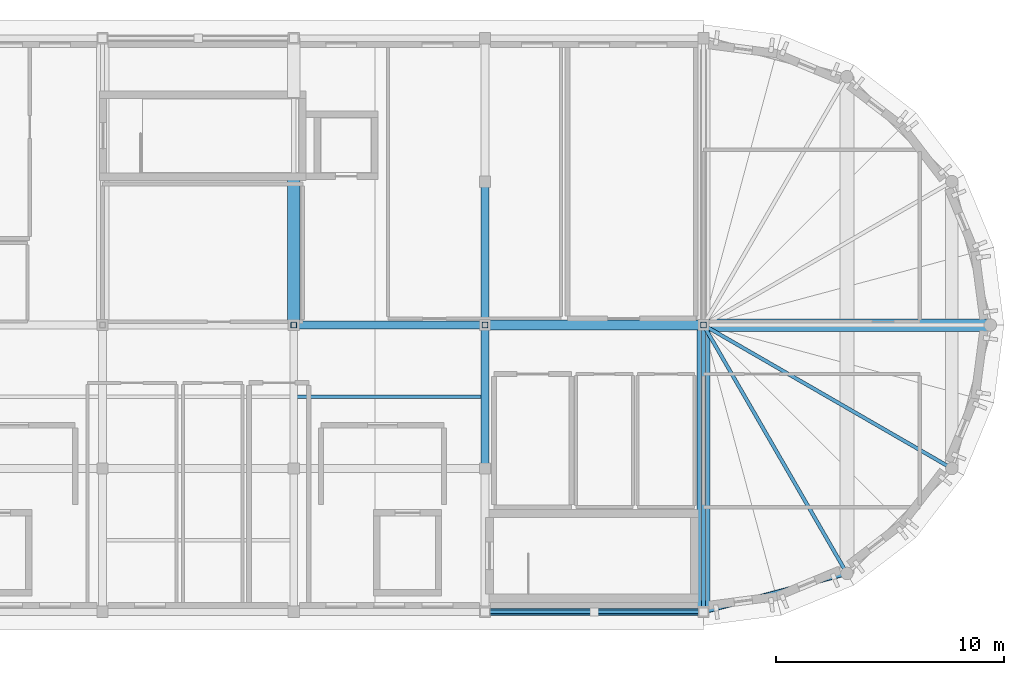
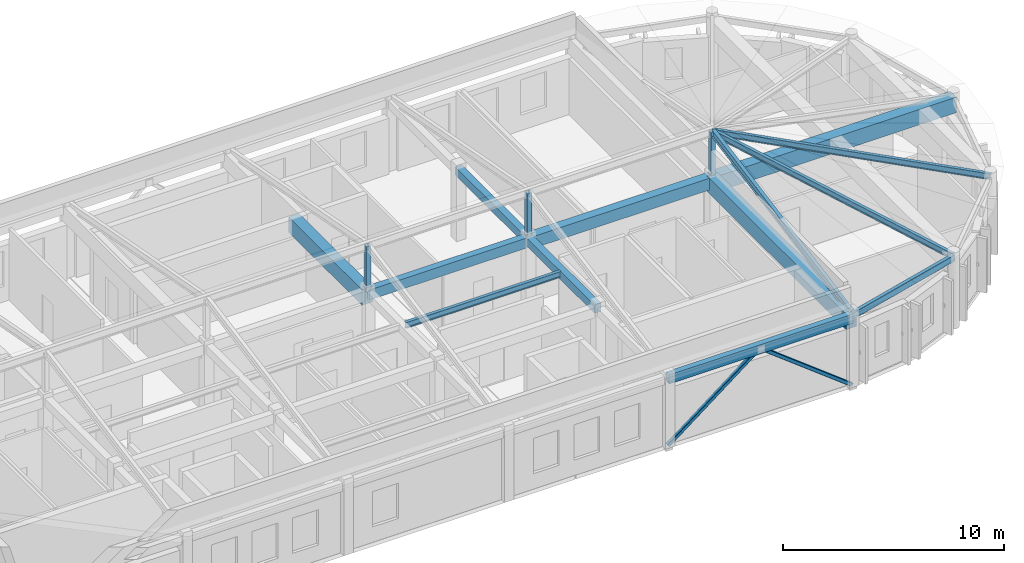
# One storey, part 4 of 11: 13 beams, 5 members.
"""IFC4 building model written with IfcOpenShell, lengths in metres."""

from ifc_helpers import new_model, si_unit, direction, frame, origin, origin_2d, place, context, subcontext, project, spatial, rectangle, hollow_rectangle, i_section, extrude, material, material_profile, profile_set, type_object, element, save


model = new_model("IFC4")

# Units and contexts
model_context = context("Model", 3, precision=1e-05, world=origin(), true_north=direction((0.0, 1.0)))
body_context = subcontext(model_context, "Body", "Model", "MODEL_VIEW")
ifc_project = project(units=[si_unit("LENGTHUNIT", "METRE"), si_unit("AREAUNIT", "SQUARE_METRE"), si_unit("VOLUMEUNIT", "CUBIC_METRE"), si_unit("PLANEANGLEUNIT", "RADIAN"), si_unit("MASSUNIT", "GRAM", prefix="KILO")], contexts=[model_context])

# Site, building, storey
site_placement = place(None, origin())
site = spatial("IfcSite", under=ifc_project, at=site_placement, CompositionType="ELEMENT")
building_placement = place(site_placement, origin())
building = spatial("IfcBuilding", under=site, at=building_placement, Name="Tarnavel Promenade Courthouse", CompositionType="ELEMENT")
storey_placement = place(building_placement, frame((0.0, 0.0, 35.39990234375)))
storey = spatial("IfcBuildingStorey", under=building, at=storey_placement, Name="L09", CompositionType="ELEMENT", Elevation=35.39990234375)

# Beams
ifc_material_1 = material(Name="Concrete C40/50", Category="concrete")
ifc_material_profile_1 = material_profile(ifc_material_1, rectangle(XDim=0.550048828125, YDim=0.85009765625, at=origin_2d()), Name="PT 550x850")
ifc_profile_set_1 = profile_set([ifc_material_profile_1], Name="Concrete C40/50")
beam_type_1 = type_object("IfcBeamType", Name="Concrete C40/50 BM-PT-550x850 (PT 550x850)", PredefinedType="T_BEAM", material=ifc_profile_set_1)
beam_1_placement = place(storey_placement, frame((102.0, 91.800048828125, 3.53515625), z_axis=(1.0, 0.0, 0.0), x_axis=(0.0, 1.0, 0.0)))
element("IfcBeam", 1, at=beam_1_placement, inside=storey, type_object=beam_type_1, Name="L09 Primary Longitudinal Beam 2650", PredefinedType="T_BEAM", context=body_context, shape_type="SweptSolid", body=[
    extrude(rectangle(XDim=0.550048828125, YDim=0.85009765625, at=origin_2d()), origin(), (0.0, 0.0, 1.0), 12.60009765625),
])
beam_2_placement = place(storey_placement, frame((84.0, 91.800048828125, 3.53515625), z_axis=(0.0, 1.0, 0.0), x_axis=(-1.0, 0.0, 0.0)))
element("IfcBeam", 2, at=beam_2_placement, inside=storey, type_object=beam_type_1, Name="L09 Transverse Girder 2669", PredefinedType="T_BEAM", context=body_context, shape_type="SweptSolid", body=[
    extrude(rectangle(XDim=0.550048828125, YDim=0.85009765625, at=origin_2d()), origin(), (0.0, 0.0, 1.0), 6.64990234375),
])
beam_3_placement = place(storey_placement, frame((102.0, 79.199951171875, 3.53515625), z_axis=(0.0, 1.0, 0.0), x_axis=(-1.0, 0.0, 0.0)))
element("IfcBeam", 3, at=beam_3_placement, inside=storey, type_object=beam_type_1, Name="L09 Transverse Girder 2675", PredefinedType="T_BEAM", context=body_context, shape_type="SweptSolid", body=[
    extrude(rectangle(XDim=0.550048828125, YDim=0.85009765625, at=origin_2d()), origin(), (0.0, 0.0, 1.0), 12.60009765625),
])
ifc_material_profile_2 = material_profile(ifc_material_1, rectangle(XDim=0.35009765625, YDim=0.449951171875, at=origin_2d()), Name="RC 350x450")
ifc_profile_set_2 = profile_set([ifc_material_profile_2], Name="Concrete C40/50")
beam_type_2 = type_object("IfcBeamType", Name="Concrete C40/50 BM-RC-350x450 (RC 350x450)", PredefinedType="BEAM", material=ifc_profile_set_2)
for number, where, z_axis, x_axis, name in (
    (4, (92.39990234375, 85.5, 3.735107421875), (0.0, 1.0, 0.0), (-1.0, 0.0, 0.0), "L09 Transverse Girder 2672"),
    (5, (92.39990234375, 91.800048828125, 3.735107421875), (0.0, 1.0, 0.0), (-1.0, 0.0, 0.0), "L09 Transverse Girder 2673"),
):
    element("IfcBeam", number, at=place(storey_placement, frame(where, z_axis=z_axis, x_axis=x_axis)), inside=storey, type_object=beam_type_2, Name=name, PredefinedType="BEAM", context=body_context, shape_type="SweptSolid", body=[
        extrude(rectangle(XDim=0.35009765625, YDim=0.449951171875, at=origin_2d()), origin(), (0.0, 0.0, 1.0), 6.300048828125),
    ])
ifc_material_profile_3 = material_profile(ifc_material_1, rectangle(XDim=0.35009765625, YDim=0.550048828125, at=origin_2d()), Name="RC 350x550")
ifc_profile_set_3 = profile_set([ifc_material_profile_3], Name="Concrete C40/50")
beam_type_3 = type_object("IfcBeamType", Name="Concrete C40/50 BM-RC-350x550 (RC 350x550)", PredefinedType="BEAM", material=ifc_profile_set_3)
beam_4_placement = place(storey_placement, frame((84.0, 91.800048828125, 3.68505859375), z_axis=(1.0, 0.0, 0.0), x_axis=(0.0, 1.0, 0.0)))
element("IfcBeam", 6, at=beam_4_placement, inside=storey, type_object=beam_type_3, Name="L09 Primary Longitudinal Beam 2648", PredefinedType="BEAM", context=body_context, shape_type="SweptSolid", body=[
    extrude(rectangle(XDim=0.35009765625, YDim=0.550048828125, at=origin_2d()), origin(), (0.0, 0.0, 1.0), 8.39990234375),
])
ifc_material_profile_4 = material_profile(ifc_material_1, rectangle(XDim=0.449951171875, YDim=0.64990234375, at=origin_2d()), Name="RC 450x650")
ifc_profile_set_4 = profile_set([ifc_material_profile_4], Name="Concrete C40/50")
beam_type_4 = type_object("IfcBeamType", Name="Concrete C40/50 BM-RC-450x650 (RC 450x650)", PredefinedType="T_BEAM", material=ifc_profile_set_4)
beam_5_placement = place(storey_placement, frame((92.39990234375, 91.800048828125, 3.635009765625), z_axis=(1.0, 0.0, 0.0), x_axis=(0.0, 1.0, 0.0)))
element("IfcBeam", 7, at=beam_5_placement, inside=storey, type_object=beam_type_4, Name="L09 Primary Longitudinal Beam 2649", PredefinedType="T_BEAM", context=body_context, shape_type="SweptSolid", body=[
    extrude(rectangle(XDim=0.449951171875, YDim=0.64990234375, at=origin_2d()), origin(), (0.0, 0.0, 1.0), 9.60009765625),
])
ifc_material_profile_5 = material_profile(ifc_material_1, rectangle(XDim=0.300048828125, YDim=0.5, at=origin_2d()), Name="RC 300x500")
ifc_profile_set_5 = profile_set([ifc_material_profile_5], Name="Concrete C40/50")
beam_type_5 = type_object("IfcBeamType", Name="Concrete C40/50 BM-SP-300x500 (RC 300x500)", PredefinedType="SPANDREL", material=ifc_profile_set_5)
beam_6_placement = place(storey_placement, frame((92.39990234375, 79.199951171875, 3.710205078125), z_axis=(1.0, 0.0, 0.0), x_axis=(0.0, 1.0, 0.0)))
element("IfcBeam", 8, at=beam_6_placement, inside=storey, type_object=beam_type_5, Name="L09 Primary Longitudinal Beam 2641", PredefinedType="SPANDREL", context=body_context, shape_type="SweptSolid", body=[
    extrude(rectangle(XDim=0.300048828125, YDim=0.5, at=origin_2d()), origin(), (0.0, 0.0, 1.0), 9.60009765625),
])
ifc_material_2 = material(Name="Steel S355J2", Category="steel")
ifc_material_profile_6 = material_profile(ifc_material_2, i_section(OverallWidth=0.159912109375, OverallDepth=0.330078125, WebThickness=0.007568359375, FlangeThickness=0.011474609375, FilletRadius=0.01806640625, at=origin_2d()), Name="IPE 330")
ifc_profile_set_6 = profile_set([ifc_material_profile_6], Name="Steel S355J2")
beam_type_6 = type_object("IfcBeamType", Name="Steel S355J2 BM-ST-IPE330 (IPE 330)", PredefinedType="JOIST", material=ifc_profile_set_6)
beam_7_placement = place(storey_placement, frame((84.14501953125, 88.64990234375, 3.795166015625), z_axis=(1.0, 0.0, 0.0), x_axis=(0.0, 1.0, 0.0)))
element("IfcBeam", 9, at=beam_7_placement, inside=storey, type_object=beam_type_6, Name="L09 Secondary Floor Rib 2681", PredefinedType="JOIST", context=body_context, shape_type="SweptSolid", body=[
    extrude(i_section(OverallWidth=0.159912109375, OverallDepth=0.330078125, WebThickness=0.007568359375, FlangeThickness=0.011474609375, FilletRadius=0.01806640625, at=origin_2d()), origin(), (0.0, 0.0, 1.0), 8.10986328125),
])
for number, where, z_axis, x_axis, name in (
    (10, (108.300048828125, 80.88818359375, 3.85009765625), (-0.490666083691, 0.849847727594, 0.192368485514), (-0.866022637375, -0.500004791531, 0.0), "L09 E Drum Radial Roof Rafter 03"),
    (11, (112.911865234375, 85.5, 3.85009765625), (-0.849847727594, 0.490666083691, 0.192368485514), (-0.500004791531, -0.866022637375, 0.0), "L09 E Drum Radial Roof Rafter 05"),
):
    element("IfcBeam", number, at=place(storey_placement, frame(where, z_axis=z_axis, x_axis=x_axis)), inside=storey, type_object=beam_type_6, Name=name, PredefinedType="JOIST", context=body_context, shape_type="SweptSolid", body=[
        extrude(i_section(OverallWidth=0.159912109375, OverallDepth=0.330078125, WebThickness=0.007568359375, FlangeThickness=0.011474609375, FilletRadius=0.01806640625, at=origin_2d()), origin(), (0.0, 0.0, 1.0), 12.83984375),
    ])
ifc_material_profile_7 = material_profile(ifc_material_2, i_section(OverallWidth=0.179931640625, OverallDepth=0.39990234375, WebThickness=0.008544921875, FlangeThickness=0.013427734375, FilletRadius=0.02099609375, at=origin_2d()), Name="IPE 400")
ifc_profile_set_7 = profile_set([ifc_material_profile_7], Name="Steel S355J2")
beam_type_7 = type_object("IfcBeamType", Name="Steel S355J2 BM-ST-IPE400 (IPE 400)", PredefinedType="BEAM", material=ifc_profile_set_7)
beam_8_placement = place(storey_placement, frame((102.0, 79.199951171875, 3.9501953125), z_axis=(0.0, 0.982512246655, 0.186197973063), x_axis=(-1.0, 0.0, 0.0)))
element("IfcBeam", 12, at=beam_8_placement, inside=storey, type_object=beam_type_7, Name="L09 Bar Roof Rafter S", PredefinedType="BEAM", context=body_context, shape_type="SweptSolid", body=[
    extrude(i_section(OverallWidth=0.179931640625, OverallDepth=0.39990234375, WebThickness=0.008544921875, FlangeThickness=0.013427734375, FilletRadius=0.02099609375, at=origin_2d()), origin(), (0.0, 0.0, 1.0), 12.727783203125),
])
ifc_material_profile_8 = material_profile(ifc_material_2, hollow_rectangle(XDim=0.199951171875, YDim=0.35009765625, WallThickness=0.012451171875, InnerFilletRadius=0.012451171875, OuterFilletRadius=0.02490234375, at=origin_2d()), Name="RHS 350x200x12.5")
ifc_profile_set_8 = profile_set([ifc_material_profile_8], Name="Steel S355J2")
beam_type_8 = type_object("IfcBeamType", Name="Steel S355J2 BM-ST-RHS350 (RHS 350x200x12.5)", PredefinedType="SPANDREL", material=ifc_profile_set_8)
beam_9_placement = place(storey_placement, frame((102.0, 79.199951171875, 3.78515625), z_axis=(0.965920481897, 0.258838989821, 0.0), x_axis=(-0.258838989821, 0.965920481897, 0.0)))
element("IfcBeam", 13, at=beam_9_placement, inside=storey, type_object=beam_type_8, Name="L09 Drum Ring Spandrel 2689", PredefinedType="SPANDREL", context=body_context, shape_type="SweptSolid", body=[
    extrude(hollow_rectangle(XDim=0.199951171875, YDim=0.35009765625, WallThickness=0.012451171875, InnerFilletRadius=0.012451171875, OuterFilletRadius=0.02490234375, at=origin_2d()), origin(), (0.0, 0.0, 1.0), 6.522216796875),
])

# Members
ifc_material_profile_9 = material_profile(ifc_material_2, hollow_rectangle(XDim=0.179931640625, YDim=0.179931640625, WallThickness=0.010009765625, InnerFilletRadius=0.010009765625, OuterFilletRadius=0.02001953125, at=origin_2d()), Name="SHS 180x180x10")
ifc_profile_set_9 = profile_set([ifc_material_profile_9], Name="Steel S355J2")
member_type_1 = type_object("IfcMemberType", Name="Steel S355J2 MEM-BR-SHS180 (SHS 180x180x10)", PredefinedType="BRACE", material=ifc_profile_set_9)
for number, where, z_axis, x_axis, name in (
    (14, (92.39990234375, 79.199951171875, 0.0), (0.791199147335, 0.0, 0.611558590207), (0.0, 1.0, 0.0), "L09 V5 Chevron Brace A 020"),
    (15, (102.0, 79.199951171875, 0.0), (-0.791199147335, 0.0, 0.611558590207), (0.0, -1.0, 0.0), "L09 V5 Chevron Brace B 020"),
):
    element("IfcMember", number, at=place(storey_placement, frame(where, z_axis=z_axis, x_axis=x_axis)), inside=storey, type_object=member_type_1, Name=name, PredefinedType="BRACE", context=body_context, shape_type="SweptSolid", body=[
        extrude(hollow_rectangle(XDim=0.179931640625, YDim=0.179931640625, WallThickness=0.010009765625, InnerFilletRadius=0.010009765625, OuterFilletRadius=0.02001953125, at=origin_2d()), origin(), (0.0, 0.0, 1.0), 6.06689453125),
    ])
ifc_material_profile_10 = material_profile(ifc_material_2, hollow_rectangle(XDim=0.25, YDim=0.25, WallThickness=0.012451171875, InnerFilletRadius=0.012451171875, OuterFilletRadius=0.02490234375, at=origin_2d()), Name="SHS 250x250x12.5")
ifc_profile_set_10 = profile_set([ifc_material_profile_10], Name="Steel S355J2")
member_type_2 = type_object("IfcMemberType", Name="Steel S355J2 MEM-STR-SHS250 (SHS 250x250x12.5)", PredefinedType="STRUT", material=ifc_profile_set_10)
for number, where, z_axis, x_axis, name in (
    (16, (84.0, 91.800048828125, 3.85009765625), (0.0, 0.0, 1.0), (1.0, 0.0, 0.0), "L09 Bar Ridge King-Post"),
    (17, (92.39990234375, 91.800048828125, 3.85009765625), (0.0, 0.0, 1.0), (1.0, 0.0, 0.0), "L09 Bar Ridge King-Post"),
    (18, (102.0, 91.800048828125, 3.85009765625), (0.0, 0.0, 1.0), (1.0, 0.0, 0.0), "L09 Bar Ridge King-Post"),
):
    element("IfcMember", number, at=place(storey_placement, frame(where, z_axis=z_axis, x_axis=x_axis)), inside=storey, type_object=member_type_2, Name=name, PredefinedType="STRUT", context=body_context, shape_type="SweptSolid", body=[
        extrude(hollow_rectangle(XDim=0.25, YDim=0.25, WallThickness=0.012451171875, InnerFilletRadius=0.012451171875, OuterFilletRadius=0.02490234375, at=origin_2d()), origin(), (0.0, 0.0, 1.0), 2.510009765625),
    ])

save(model, "model.ifc")
